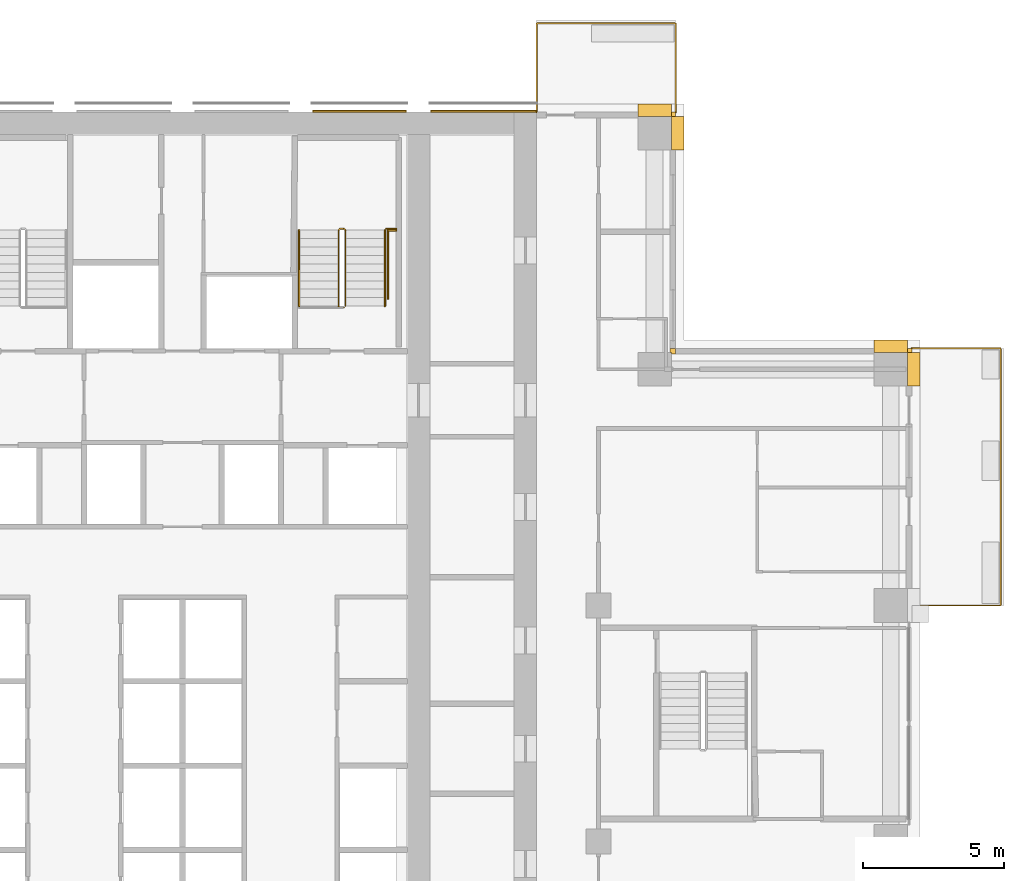
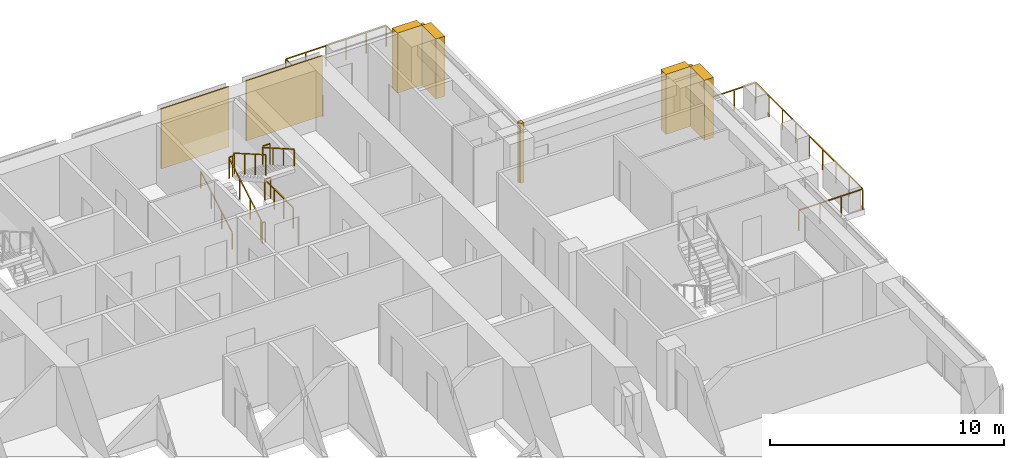
# One storey, part 17 of 17: 9 coverings, 7 railings.
"""IFC4 building model written with IfcOpenShell, lengths in metres."""

from ifc_helpers import new_model, si_unit, direction, frame, origin, origin_2d, place, context, subcontext, project, spatial, polyline, rectangle, outline, extrude, material, type_object, element, save


model = new_model("IFC4")

# Units and contexts
model_context = context("Model", 3, precision=1e-05, world=origin(), true_north=direction((0.0, 1.0)))
body_context = subcontext(model_context, "Body", "Model", "MODEL_VIEW")
ifc_project = project(units=[si_unit("LENGTHUNIT", "METRE"), si_unit("AREAUNIT", "SQUARE_METRE"), si_unit("VOLUMEUNIT", "CUBIC_METRE"), si_unit("PLANEANGLEUNIT", "RADIAN"), si_unit("MASSUNIT", "GRAM", prefix="KILO")], contexts=[model_context])

# Site, building, storey
site_placement = place(None, origin())
site = spatial("IfcSite", under=ifc_project, at=site_placement, CompositionType="ELEMENT")
building_placement = place(site_placement, origin())
building = spatial("IfcBuilding", under=site, at=building_placement, Name="Vermilion Ogive Tower", CompositionType="ELEMENT")
storey_placement = place(building_placement, frame((0.0, 0.0, 83.85009765625)))
storey = spatial("IfcBuildingStorey", under=building, at=storey_placement, Name="L20", CompositionType="ELEMENT", Elevation=83.85009765625)

# Railings
ifc_material_1 = material(Name="Stainless steel and glass", Category="steel")
railing_type_1 = type_object("IfcRailingType", Name="Balcony guard", PredefinedType="GUARDRAIL", material=ifc_material_1)
railing_1_placement = place(storey_placement, frame((25.949951171875, 4.199951171875, -0.0400390625)))
element("IfcRailing", 1, at=railing_1_placement, inside=storey, type_object=railing_type_1, Name="Guard E03", PredefinedType="GUARDRAIL", context=body_context, shape_type="SweptSolid", body=[
    extrude(rectangle(XDim=0.048095703125, YDim=0.048095703125, at=origin_2d()), frame((0.0, 0.0, 1.076171875), z_axis=(1.0, 0.0, 0.0), x_axis=(0.0, 1.0, 0.0)), (0.0, 0.0, 1.0), 3.16015625),
    extrude(rectangle(XDim=0.048095703125, YDim=0.048095703125, at=origin_2d()), frame((3.16015625, 0.0, 1.076171875), z_axis=(0.0, 1.0, 0.0), x_axis=(-1.0, 0.0, 0.0)), (0.0, 0.0, 1.0), 9.150146484375),
    extrude(rectangle(XDim=0.048095703125, YDim=0.048095703125, at=origin_2d()), frame((3.16015625, 9.150146484375, 1.076171875), z_axis=(-1.0, 0.0, 0.0), x_axis=(0.0, -1.0, 0.0)), (0.0, 0.0, 1.0), 3.16015625),
    extrude(rectangle(XDim=0.0419921875, YDim=0.0419921875, at=origin_2d()), origin(), (0.0, 0.0, 1.0), 1.052001953125),
    extrude(rectangle(XDim=0.0419921875, YDim=0.0419921875, at=origin_2d()), frame((1.053466796875, 0.0, 0.0)), (0.0, 0.0, 1.0), 1.052001953125),
    extrude(rectangle(XDim=0.0419921875, YDim=0.0419921875, at=origin_2d()), frame((2.106689453125, 0.0, 0.0)), (0.0, 0.0, 1.0), 1.052001953125),
    extrude(rectangle(XDim=0.0419921875, YDim=0.0419921875, at=origin_2d()), frame((3.16015625, 0.0, 0.0)), (0.0, 0.0, 1.0), 1.052001953125),
    extrude(rectangle(XDim=0.0419921875, YDim=0.0419921875, at=origin_2d()), frame((3.16015625, 1.143798828125, 0.0)), (0.0, 0.0, 1.0), 1.052001953125),
    extrude(rectangle(XDim=0.0419921875, YDim=0.0419921875, at=origin_2d()), frame((3.16015625, 2.28759765625, 0.0)), (0.0, 0.0, 1.0), 1.052001953125),
    extrude(rectangle(XDim=0.0419921875, YDim=0.0419921875, at=origin_2d()), frame((3.16015625, 3.431396484375, 0.0)), (0.0, 0.0, 1.0), 1.052001953125),
    extrude(rectangle(XDim=0.0419921875, YDim=0.0419921875, at=origin_2d()), frame((3.16015625, 4.5751953125, 0.0)), (0.0, 0.0, 1.0), 1.052001953125),
    extrude(rectangle(XDim=0.0419921875, YDim=0.0419921875, at=origin_2d()), frame((3.16015625, 5.71875, 0.0)), (0.0, 0.0, 1.0), 1.052001953125),
    extrude(rectangle(XDim=0.0419921875, YDim=0.0419921875, at=origin_2d()), frame((3.16015625, 6.862548828125, 0.0)), (0.0, 0.0, 1.0), 1.052001953125),
    extrude(rectangle(XDim=0.0419921875, YDim=0.0419921875, at=origin_2d()), frame((3.16015625, 8.00634765625, 0.0)), (0.0, 0.0, 1.0), 1.052001953125),
    extrude(rectangle(XDim=0.0419921875, YDim=0.0419921875, at=origin_2d()), frame((3.16015625, 9.150146484375, 0.0)), (0.0, 0.0, 1.0), 1.052001953125),
    extrude(rectangle(XDim=0.0419921875, YDim=0.0419921875, at=origin_2d()), frame((2.106689453125, 9.150146484375, 0.0)), (0.0, 0.0, 1.0), 1.052001953125),
    extrude(rectangle(XDim=0.0419921875, YDim=0.0419921875, at=origin_2d()), frame((1.053466796875, 9.150146484375, 0.0)), (0.0, 0.0, 1.0), 1.052001953125),
    extrude(rectangle(XDim=0.0419921875, YDim=0.0419921875, at=origin_2d()), frame((0.0, 9.150146484375, 0.0)), (0.0, 0.0, 1.0), 1.052001953125),
])
railing_2_placement = place(storey_placement, frame((17.550048828125, 21.75, -0.0400390625)))
element("IfcRailing", 2, at=railing_2_placement, inside=storey, type_object=railing_type_1, Name="Guard N101", PredefinedType="GUARDRAIL", context=body_context, shape_type="SweptSolid", body=[
    extrude(rectangle(XDim=0.048095703125, YDim=0.048095703125, at=origin_2d()), frame((0.0, 0.0, 1.076171875), z_axis=(0.0, 1.0, 0.0), x_axis=(-1.0, 0.0, 0.0)), (0.0, 0.0, 1.0), 3.159912109375),
    extrude(rectangle(XDim=0.048095703125, YDim=0.048095703125, at=origin_2d()), frame((0.0, 3.159912109375, 1.076171875), z_axis=(-1.0, 0.0, 0.0), x_axis=(0.0, -1.0, 0.0)), (0.0, 0.0, 1.0), 4.949951171875),
    extrude(rectangle(XDim=0.048095703125, YDim=0.048095703125, at=origin_2d()), frame((-4.949951171875, 3.159912109375, 1.076171875), z_axis=(0.0, -1.0, 0.0), x_axis=(1.0, 0.0, 0.0)), (0.0, 0.0, 1.0), 3.159912109375),
    extrude(rectangle(XDim=0.0419921875, YDim=0.0419921875, at=origin_2d()), origin(), (0.0, 0.0, 1.0), 1.052001953125),
    extrude(rectangle(XDim=0.0419921875, YDim=0.0419921875, at=origin_2d()), frame((0.0, 1.05322265625, 0.0)), (0.0, 0.0, 1.0), 1.052001953125),
    extrude(rectangle(XDim=0.0419921875, YDim=0.0419921875, at=origin_2d()), frame((0.0, 2.106689453125, 0.0)), (0.0, 0.0, 1.0), 1.052001953125),
    extrude(rectangle(XDim=0.0419921875, YDim=0.0419921875, at=origin_2d()), frame((0.0, 3.159912109375, 0.0)), (0.0, 0.0, 1.0), 1.052001953125),
    extrude(rectangle(XDim=0.0419921875, YDim=0.0419921875, at=origin_2d()), frame((-0.989990234375, 3.159912109375, 0.0)), (0.0, 0.0, 1.0), 1.052001953125),
    extrude(rectangle(XDim=0.0419921875, YDim=0.0419921875, at=origin_2d()), frame((-1.97998046875, 3.159912109375, 0.0)), (0.0, 0.0, 1.0), 1.052001953125),
    extrude(rectangle(XDim=0.0419921875, YDim=0.0419921875, at=origin_2d()), frame((-2.969970703125, 3.159912109375, 0.0)), (0.0, 0.0, 1.0), 1.052001953125),
    extrude(rectangle(XDim=0.0419921875, YDim=0.0419921875, at=origin_2d()), frame((-3.9599609375, 3.159912109375, 0.0)), (0.0, 0.0, 1.0), 1.052001953125),
    extrude(rectangle(XDim=0.0419921875, YDim=0.0419921875, at=origin_2d()), frame((-4.949951171875, 3.159912109375, 0.0)), (0.0, 0.0, 1.0), 1.052001953125),
    extrude(rectangle(XDim=0.0419921875, YDim=0.0419921875, at=origin_2d()), frame((-4.949951171875, 2.106689453125, 0.0)), (0.0, 0.0, 1.0), 1.052001953125),
    extrude(rectangle(XDim=0.0419921875, YDim=0.0419921875, at=origin_2d()), frame((-4.949951171875, 1.05322265625, 0.0)), (0.0, 0.0, 1.0), 1.052001953125),
    extrude(rectangle(XDim=0.0419921875, YDim=0.0419921875, at=origin_2d()), frame((-4.949951171875, 0.0, 0.0)), (0.0, 0.0, 1.0), 1.052001953125),
])
ifc_material_2 = material(Name="Steel S355 painted", Category="steel")
railing_type_2 = type_object("IfcRailingType", Name="Stair guard 1100", PredefinedType="GUARDRAIL", material=ifc_material_2)
railing_3_placement = place(storey_placement, frame((5.75, 14.800048828125, 0.0)))
element("IfcRailing", 3, at=railing_3_placement, inside=storey, type_object=railing_type_2, Name="L20 ST2 stair guard 4", PredefinedType="GUARDRAIL", context=body_context, shape_type="SweptSolid", body=[
    extrude(rectangle(XDim=0.048095703125, YDim=0.048095703125, at=origin_2d()), frame((0.0, 0.0, 1.076171875), z_axis=(-1.0, 0.0, 0.0), x_axis=(0.0, -1.0, 0.0)), (0.0, 0.0, 1.0), 0.14990234375),
    extrude(rectangle(XDim=0.048095703125, YDim=0.048095703125, at=origin_2d()), frame((-0.14990234375, 0.0, 1.076171875), z_axis=(-0.268603158521, 0.268603158521, 0.925043072762), x_axis=(-0.707106781187, -0.707106781187, 0.0)), (0.0, 0.0, 1.0), 0.186279296875),
    extrude(rectangle(XDim=0.048095703125, YDim=0.048095703125, at=origin_2d()), frame((-0.199951171875, 0.050048828125, 1.24853515625), z_axis=(0.0, 0.866903762492, 0.498475542607), x_axis=(-1.0, 0.0, 0.0)), (0.0, 0.0, 1.0), 3.114501953125),
    extrude(rectangle(XDim=0.048095703125, YDim=0.048095703125, at=origin_2d()), frame((-0.199951171875, 2.75, 2.80078125), z_axis=(0.707106781187, 0.707106781187, 0.0), x_axis=(-0.707106781187, 0.707106781187, 0.0)), (0.0, 0.0, 1.0), 0.07080078125),
    extrude(rectangle(XDim=0.048095703125, YDim=0.048095703125, at=origin_2d()), frame((-0.14990234375, 2.800048828125, 2.80078125), z_axis=(1.0, 0.0, 0.0), x_axis=(0.0, 1.0, 0.0)), (0.0, 0.0, 1.0), 0.14990234375),
    extrude(rectangle(XDim=0.048095703125, YDim=0.048095703125, at=origin_2d()), frame((0.0, 2.800048828125, 2.80078125), z_axis=(0.268277960024, -0.268277960024, 0.925231793839), x_axis=(0.707106781187, 0.707106781187, 0.0)), (0.0, 0.0, 1.0), 0.1865234375),
    extrude(rectangle(XDim=0.048095703125, YDim=0.048095703125, at=origin_2d()), frame((0.050048828125, 2.75, 2.9736328125), z_axis=(0.0, -0.866903762492, 0.498475542607), x_axis=(1.0, 0.0, 0.0)), (0.0, 0.0, 1.0), 3.114501953125),
    extrude(rectangle(XDim=0.0419921875, YDim=0.0419921875, at=origin_2d()), origin(), (0.0, 0.0, 1.0), 1.052001953125),
    extrude(rectangle(XDim=0.0419921875, YDim=0.0419921875, at=origin_2d()), frame((-0.14990234375, 0.0, 0.0)), (0.0, 0.0, 1.0), 1.052001953125),
    extrude(rectangle(XDim=0.0419921875, YDim=0.0419921875, at=origin_2d()), frame((-0.199951171875, 0.050048828125, 0.17236328125)), (0.0, 0.0, 1.0), 1.052001953125),
    extrude(rectangle(XDim=0.0419921875, YDim=0.0419921875, at=origin_2d()), frame((-0.199951171875, 0.949951171875, 0.68994140625)), (0.0, 0.0, 1.0), 1.052001953125),
    extrude(rectangle(XDim=0.0419921875, YDim=0.0419921875, at=origin_2d()), frame((-0.199951171875, 1.85009765625, 1.207275390625)), (0.0, 0.0, 1.0), 1.052001953125),
    extrude(rectangle(XDim=0.0419921875, YDim=0.0419921875, at=origin_2d()), frame((-0.199951171875, 2.75, 1.724853515625)), (0.0, 0.0, 1.0), 1.052001953125),
    extrude(rectangle(XDim=0.0419921875, YDim=0.0419921875, at=origin_2d()), frame((-0.14990234375, 2.800048828125, 1.724853515625)), (0.0, 0.0, 1.0), 1.052001953125),
    extrude(rectangle(XDim=0.0419921875, YDim=0.0419921875, at=origin_2d()), frame((0.0, 2.800048828125, 1.724853515625)), (0.0, 0.0, 1.0), 1.052001953125),
    extrude(rectangle(XDim=0.0419921875, YDim=0.0419921875, at=origin_2d()), frame((0.050048828125, 2.75, 1.8974609375)), (0.0, 0.0, 1.0), 1.052001953125),
    extrude(rectangle(XDim=0.0419921875, YDim=0.0419921875, at=origin_2d()), frame((0.050048828125, 1.85009765625, 2.4150390625)), (0.0, 0.0, 1.0), 1.052001953125),
    extrude(rectangle(XDim=0.0419921875, YDim=0.0419921875, at=origin_2d()), frame((0.050048828125, 0.949951171875, 2.932373046875)), (0.0, 0.0, 1.0), 1.052001953125),
    extrude(rectangle(XDim=0.0419921875, YDim=0.0419921875, at=origin_2d()), frame((0.050048828125, 0.050048828125, 3.449951171875)), (0.0, 0.0, 1.0), 1.052001953125),
])
railing_4_placement = place(storey_placement, frame((7.25, 17.60009765625, 1.724853515625)))
element("IfcRailing", 4, at=railing_4_placement, inside=storey, type_object=railing_type_2, Name="L20 landing guard", PredefinedType="GUARDRAIL", context=body_context, shape_type="SweptSolid", body=[
    extrude(rectangle(XDim=0.048095703125, YDim=0.048095703125, at=origin_2d()), frame((0.0, 0.0, 1.076171875), z_axis=(1.0, 0.0, 0.0), x_axis=(0.0, 1.0, 0.0)), (0.0, 0.0, 1.0), 0.35009765625),
    extrude(rectangle(XDim=0.0419921875, YDim=0.0419921875, at=origin_2d()), origin(), (0.0, 0.0, 1.0), 1.052001953125),
    extrude(rectangle(XDim=0.0419921875, YDim=0.0419921875, at=origin_2d()), frame((0.35009765625, 0.0, 0.0)), (0.0, 0.0, 1.0), 1.052001953125),
])
railing_5_placement = place(storey_placement, frame((7.599609375, 17.54296875, 0.0)))
element("IfcRailing", 5, at=railing_5_placement, inside=storey, type_object=railing_type_2, Name="L20 stair opening guard", PredefinedType="GUARDRAIL", context=body_context, shape_type="SweptSolid", body=[
    extrude(rectangle(XDim=0.048095703125, YDim=0.048095703125, at=origin_2d()), frame((0.0, 0.0, 1.076171875), z_axis=(-1.0, 0.0, 0.0), x_axis=(0.0, -1.0, 0.0)), (0.0, 0.0, 1.0), 0.2900390625),
    extrude(rectangle(XDim=0.048095703125, YDim=0.048095703125, at=origin_2d()), frame((-0.2900390625, 0.0, 1.076171875), z_axis=(0.0, -1.0, 0.0), x_axis=(1.0, 0.0, 0.0)), (0.0, 0.0, 1.0), 2.42431640625),
    extrude(rectangle(XDim=0.0419921875, YDim=0.0419921875, at=origin_2d()), origin(), (0.0, 0.0, 1.0), 1.052001953125),
    extrude(rectangle(XDim=0.0419921875, YDim=0.0419921875, at=origin_2d()), frame((-0.2900390625, 0.0, 0.0)), (0.0, 0.0, 1.0), 1.052001953125),
    extrude(rectangle(XDim=0.0419921875, YDim=0.0419921875, at=origin_2d()), frame((-0.2900390625, -0.80810546875, 0.0)), (0.0, 0.0, 1.0), 1.052001953125),
    extrude(rectangle(XDim=0.0419921875, YDim=0.0419921875, at=origin_2d()), frame((-0.2900390625, -1.6162109375, 0.0)), (0.0, 0.0, 1.0), 1.052001953125),
    extrude(rectangle(XDim=0.0419921875, YDim=0.0419921875, at=origin_2d()), frame((-0.2900390625, -2.42431640625, 0.0)), (0.0, 0.0, 1.0), 1.052001953125),
])
ifc_material_3 = material(Name="Stainless steel", Category="steel")
railing_type_3 = type_object("IfcRailingType", Name="Stair handrail 900", PredefinedType="HANDRAIL", material=ifc_material_3)
railing_6_placement = place(storey_placement, frame((4.14990234375, 14.85009765625, 0.17236328125)))
element("IfcRailing", 6, at=railing_6_placement, inside=storey, type_object=railing_type_3, Name="L20 ST2 stair handrail 1", PredefinedType="HANDRAIL", context=body_context, shape_type="SweptSolid", body=[
    extrude(rectangle(XDim=0.048095703125, YDim=0.048095703125, at=origin_2d()), frame((0.0, 0.0, 0.8759765625), z_axis=(0.0, 0.866903762492, 0.498475542607), x_axis=(-1.0, 0.0, 0.0)), (0.0, 0.0, 1.0), 3.114501953125),
    extrude(rectangle(XDim=0.0419921875, YDim=0.0419921875, at=origin_2d()), origin(), (0.0, 0.0, 1.0), 0.851806640625),
    extrude(rectangle(XDim=0.0419921875, YDim=0.0419921875, at=origin_2d()), frame((0.0, 0.89990234375, 0.517578125)), (0.0, 0.0, 1.0), 0.851806640625),
    extrude(rectangle(XDim=0.0419921875, YDim=0.0419921875, at=origin_2d()), frame((0.0, 1.800048828125, 1.034912109375)), (0.0, 0.0, 1.0), 0.851806640625),
    extrude(rectangle(XDim=0.0419921875, YDim=0.0419921875, at=origin_2d()), frame((0.0, 2.699951171875, 1.552490234375)), (0.0, 0.0, 1.0), 0.851806640625),
])
railing_7_placement = place(storey_placement, frame((7.199951171875, 17.550048828125, 1.8974609375)))
element("IfcRailing", 7, at=railing_7_placement, inside=storey, type_object=railing_type_3, Name="L20 ST2 stair handrail 2", PredefinedType="HANDRAIL", context=body_context, shape_type="SweptSolid", body=[
    extrude(rectangle(XDim=0.048095703125, YDim=0.048095703125, at=origin_2d()), frame((0.0, 0.0, 0.8759765625), z_axis=(0.0, -0.866903762492, 0.498475542607), x_axis=(1.0, 0.0, 0.0)), (0.0, 0.0, 1.0), 3.114501953125),
    extrude(rectangle(XDim=0.0419921875, YDim=0.0419921875, at=origin_2d()), origin(), (0.0, 0.0, 1.0), 0.851806640625),
    extrude(rectangle(XDim=0.0419921875, YDim=0.0419921875, at=origin_2d()), frame((0.0, -0.89990234375, 0.517578125)), (0.0, 0.0, 1.0), 0.851806640625),
    extrude(rectangle(XDim=0.0419921875, YDim=0.0419921875, at=origin_2d()), frame((0.0, -1.800048828125, 1.034912109375)), (0.0, 0.0, 1.0), 0.851806640625),
    extrude(rectangle(XDim=0.0419921875, YDim=0.0419921875, at=origin_2d()), frame((0.0, -2.699951171875, 1.552490234375)), (0.0, 0.0, 1.0), 0.851806640625),
])

# Coverings
ifc_material_4 = material(Name="Stone cladding", Category="masonry")
covering_type_1 = type_object("IfcCoveringType", Name="Stone cladding panel", PredefinedType="CLADDING", material=ifc_material_4)
covering_1_placement = place(storey_placement, origin())
element("IfcCovering", 8, at=covering_1_placement, inside=storey, type_object=covering_type_1, Name="Stone cladding panel N5", PredefinedType="CLADDING", context=body_context, shape_type="SweptSolid", body=[
    extrude(outline(polyline([(4.6298828125, 21.75), (7.969970703125, 21.75), (7.969970703125, 21.81005859375), (4.6298828125, 21.81005859375), (4.6298828125, 21.75)])), origin(), (0.0, 0.0, 1.0), 3.1298828125),
])
covering_2_placement = place(storey_placement, origin())
element("IfcCovering", 9, at=covering_2_placement, inside=storey, type_object=covering_type_1, Name="Stone cladding panel N6", PredefinedType="CLADDING", context=body_context, shape_type="SweptSolid", body=[
    extrude(outline(polyline([(8.830078125, 21.75), (12.590087890625, 21.75), (12.590087890625, 21.81005859375), (8.830078125, 21.81005859375), (8.830078125, 21.75)])), origin(), (0.0, 0.0, 1.0), 3.1298828125),
])
ifc_material_5 = material(Name="Stone cladding", Category="masonry")
covering_type_2 = type_object("IfcCoveringType", Name="Stone pier", PredefinedType="CLADDING", material=ifc_material_5)
covering_3_placement = place(storey_placement, origin())
element("IfcCovering", 10, at=covering_3_placement, inside=storey, type_object=covering_type_2, Name="Stone corner pier EE1", PredefinedType="CLADDING", context=body_context, shape_type="SweptSolid", body=[
    extrude(outline(polyline([(25.949951171875, 13.199951171875), (25.800048828125, 13.199951171875), (25.800048828125, 13.35009765625), (25.949951171875, 13.35009765625), (25.949951171875, 13.199951171875)])), origin(), (0.0, 0.0, 1.0), 3.1298828125),
])
covering_4_placement = place(storey_placement, origin())
element("IfcCovering", 11, at=covering_4_placement, inside=storey, type_object=covering_type_2, Name="Stone corner pier X3E1", PredefinedType="CLADDING", context=body_context, shape_type="SweptSolid", body=[
    extrude(outline(polyline([(17.39990234375, 13.14990234375), (17.39990234375, 13.199951171875), (17.35009765625, 13.199951171875), (17.35009765625, 13.35009765625), (17.550048828125, 13.35009765625), (17.550048828125, 13.14990234375), (17.39990234375, 13.14990234375)])), origin(), (0.0, 0.0, 1.0), 3.1298828125),
])
covering_5_placement = place(storey_placement, origin())
element("IfcCovering", 12, at=covering_5_placement, inside=storey, type_object=covering_type_2, Name="Stone corner pier X4E1", PredefinedType="CLADDING", context=body_context, shape_type="SweptSolid", body=[
    extrude(outline(polyline([(17.550048828125, 21.60009765625), (17.39990234375, 21.60009765625), (17.39990234375, 21.60009765625), (17.39990234375, 21.75), (17.550048828125, 21.75), (17.550048828125, 21.60009765625)])), origin(), (0.0, 0.0, 1.0), 3.1298828125),
])
covering_6_placement = place(storey_placement, origin())
element("IfcCovering", 13, at=covering_6_placement, inside=storey, type_object=covering_type_2, Name="Stone pier P+0168+210X4", PredefinedType="CLADDING", context=body_context, shape_type="SweptSolid", body=[
    extrude(outline(polyline([(17.85009765625, 21.60009765625), (17.85009765625, 20.39990234375), (17.39990234375, 20.39990234375), (17.39990234375, 21.60009765625), (17.85009765625, 21.60009765625)])), origin(), (0.0, 0.0, 1.0), 3.1298828125),
])
covering_7_placement = place(storey_placement, origin())
element("IfcCovering", 14, at=covering_7_placement, inside=storey, type_object=covering_type_2, Name="Stone pier P+0168+210N1", PredefinedType="CLADDING", context=body_context, shape_type="SweptSolid", body=[
    extrude(outline(polyline([(17.39990234375, 22.050048828125), (17.39990234375, 21.60009765625), (16.199951171875, 21.60009765625), (16.199951171875, 22.050048828125), (17.39990234375, 22.050048828125)])), origin(), (0.0, 0.0, 1.0), 3.1298828125),
])
covering_8_placement = place(storey_placement, origin())
element("IfcCovering", 15, at=covering_8_placement, inside=storey, type_object=covering_type_2, Name="Stone pier P+0252+126E", PredefinedType="CLADDING", context=body_context, shape_type="SweptSolid", body=[
    extrude(outline(polyline([(25.800048828125, 13.199951171875), (25.800048828125, 13.199951171875), (26.25, 13.199951171875), (26.25, 12.0), (25.800048828125, 12.0), (25.800048828125, 12.0), (25.800048828125, 13.199951171875)])), origin(), (0.0, 0.0, 1.0), 3.1298828125),
])
covering_9_placement = place(storey_placement, origin())
element("IfcCovering", 16, at=covering_9_placement, inside=storey, type_object=covering_type_2, Name="Stone pier P+0252+126X3", PredefinedType="CLADDING", context=body_context, shape_type="SweptSolid", body=[
    extrude(outline(polyline([(25.800048828125, 13.64990234375), (25.800048828125, 13.199951171875), (25.800048828125, 13.199951171875), (24.60009765625, 13.199951171875), (24.60009765625, 13.64990234375), (25.800048828125, 13.64990234375)])), origin(), (0.0, 0.0, 1.0), 3.1298828125),
])

save(model, "model.ifc")
